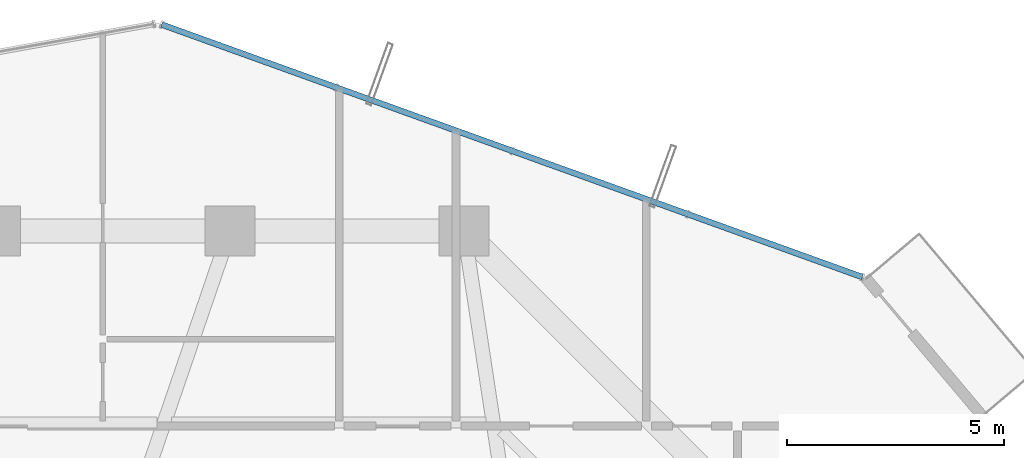
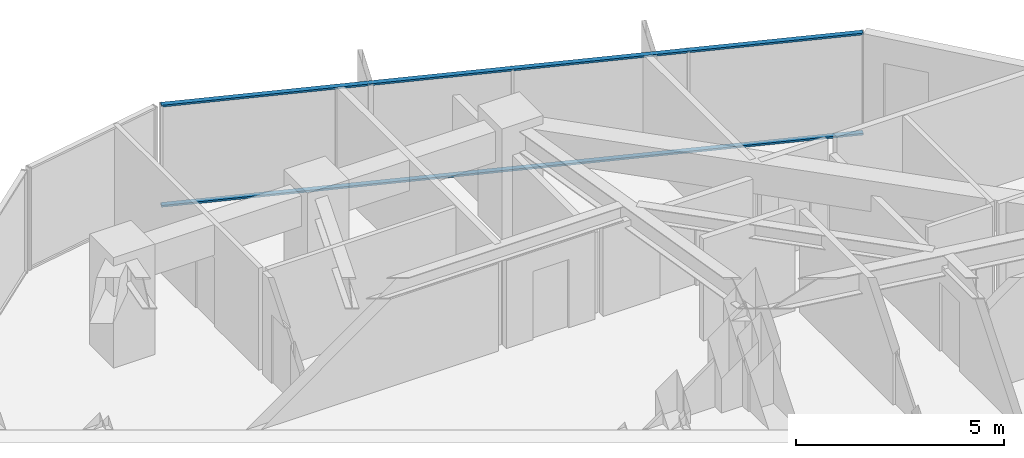
# One storey, part 26 of 36: 2 members, 1 element without a shape of its own.
"""IFC4 building model written with IfcOpenShell, lengths in metres."""

from ifc_helpers import new_model, si_unit, direction, frame, origin, origin_2d, place, context, subcontext, project, spatial, hollow_rectangle, extrude, source, transform, mapped, material, layer, layer_set, material_profile, profile_set, type_object, element, aggregate, save


model = new_model("IFC4")

# Units and contexts
model_context = context("Model", 3, precision=1e-05, world=origin(), true_north=direction((0.0, 1.0)))
body_context = subcontext(model_context, "Body", "Model", "MODEL_VIEW")
ifc_project = project(units=[si_unit("LENGTHUNIT", "METRE"), si_unit("AREAUNIT", "SQUARE_METRE"), si_unit("VOLUMEUNIT", "CUBIC_METRE"), si_unit("PLANEANGLEUNIT", "RADIAN"), si_unit("MASSUNIT", "GRAM", prefix="KILO")], contexts=[model_context])

# Site, building, storey
site_placement = place(None, origin())
site = spatial("IfcSite", under=ifc_project, at=site_placement, CompositionType="ELEMENT")
building_placement = place(site_placement, origin())
building = spatial("IfcBuilding", under=site, at=building_placement, Name="Veraguas Prism Commons", CompositionType="ELEMENT")
storey_placement = place(building_placement, frame((0.0, 0.0, 163.050048828125)))
storey = spatial("IfcBuildingStorey", under=building, at=storey_placement, Name="L46", CompositionType="ELEMENT", Elevation=163.050048828125)

# Curtain wall, members
ifc_material = material(Name="Anodised aluminium EN AW-6063 T6", Category="aluminium")
ifc_layer = layer(ifc_material, 0.169921875, Name="Unitised Flush Curtain Wall Zone 2", Category="aluminium")
ifc_layer_set = layer_set([ifc_layer], Name="Anodised aluminium EN AW-6063 T6")
curtain_wall_type = type_object("IfcCurtainWallType", Name="Unitised Flush Curtain Wall Zone 2", PredefinedType="NOTDEFINED", material=ifc_layer_set)
curtain_wall_placement = place(storey_placement, origin())
curtain_wall = element("IfcCurtainWall", 1, at=curtain_wall_placement, inside=storey, type_object=curtain_wall_type, Name="Tower Facade Curtain Wall L46-F1", PredefinedType="NOTDEFINED")
ifc_material_profile = material_profile(ifc_material, hollow_rectangle(XDim=0.054931640625, YDim=0.135009765625, WallThickness=0.0029296875, at=origin_2d()), Name="AL55X135X3")
ifc_profile_set = profile_set([ifc_material_profile], Name="Anodised aluminium EN AW-6063 T6")
member_type = type_object("IfcMemberType", Name="Curtain Wall Transom Standard AL 55x135x3", PredefinedType="USERDEFINED", material=ifc_profile_set)
shared_shape = source(origin(), body_context, "Body", "SweptSolid", [
    extrude(hollow_rectangle(XDim=0.054931640625, YDim=0.135009765625, WallThickness=0.0029296875, at=origin_2d()), origin(), (0.0, 0.0, 1.0), 17.174560546875),
])
member_1_placement = place(storey_placement, frame((38.582763671875, 39.134521484375, 0.02734375), z_axis=(-0.940764124073, 0.339061739006, 0.0), x_axis=(0.0, 0.0, 1.0)))
member_1 = element("IfcMember", 2, at=member_1_placement, type_object=member_type, Name="CW-Z2 Transom 1", ObjectType="TRANSOM", PredefinedType="USERDEFINED", context=body_context, shape_type="MappedRepresentation", body=[
    mapped(shared_shape, transform((0.0, 0.0, 0.0), scale=1.0)),
])
member_2_placement = place(storey_placement, frame((38.582763671875, 39.134521484375, 2.972412109375), z_axis=(-0.940764124073, 0.339061739006, 0.0), x_axis=(0.0, 0.0, 1.0)))
member_2 = element("IfcMember", 3, at=member_2_placement, type_object=member_type, Name="CW-Z2 Transom 2", ObjectType="TRANSOM", PredefinedType="USERDEFINED", context=body_context, shape_type="MappedRepresentation", body=[
    mapped(shared_shape, transform((0.0, 0.0, 0.0), scale=1.0)),
])
aggregate(curtain_wall, [member_1, member_2])

save(model, "model.ifc")
